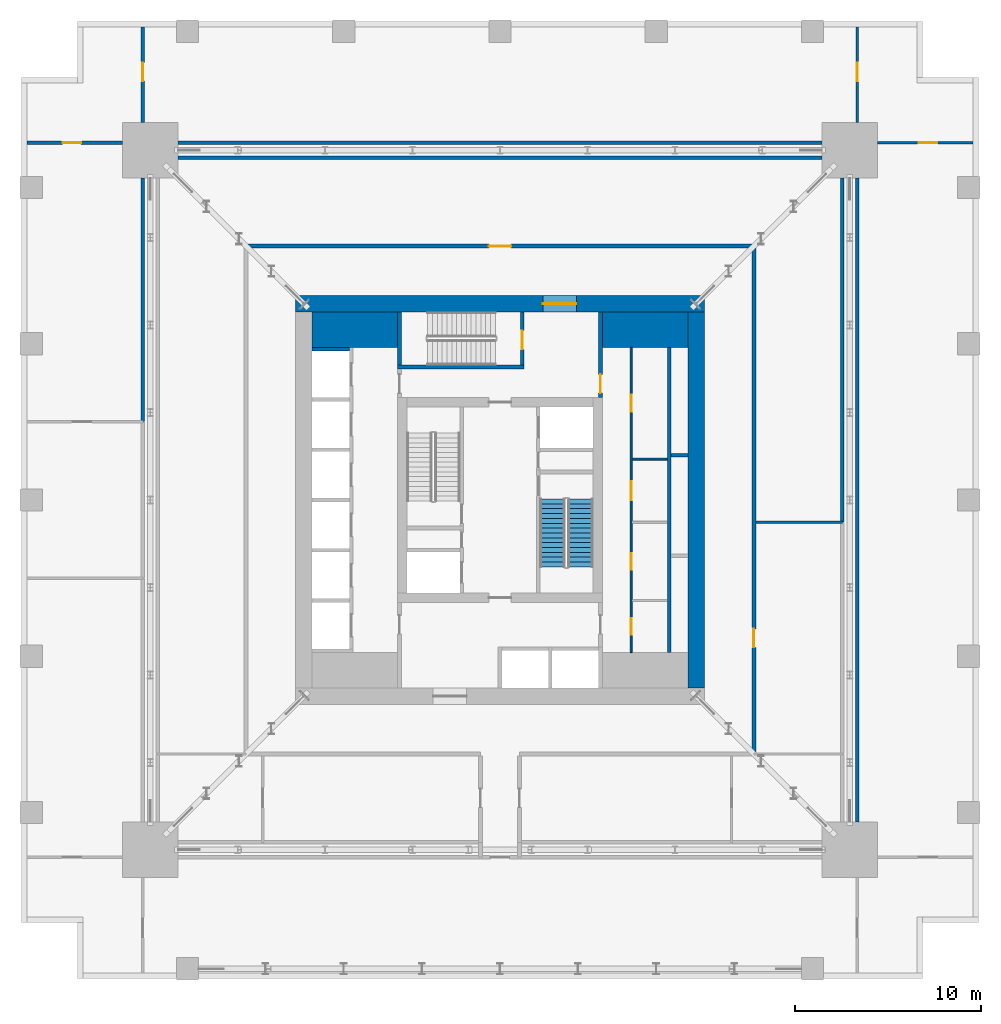
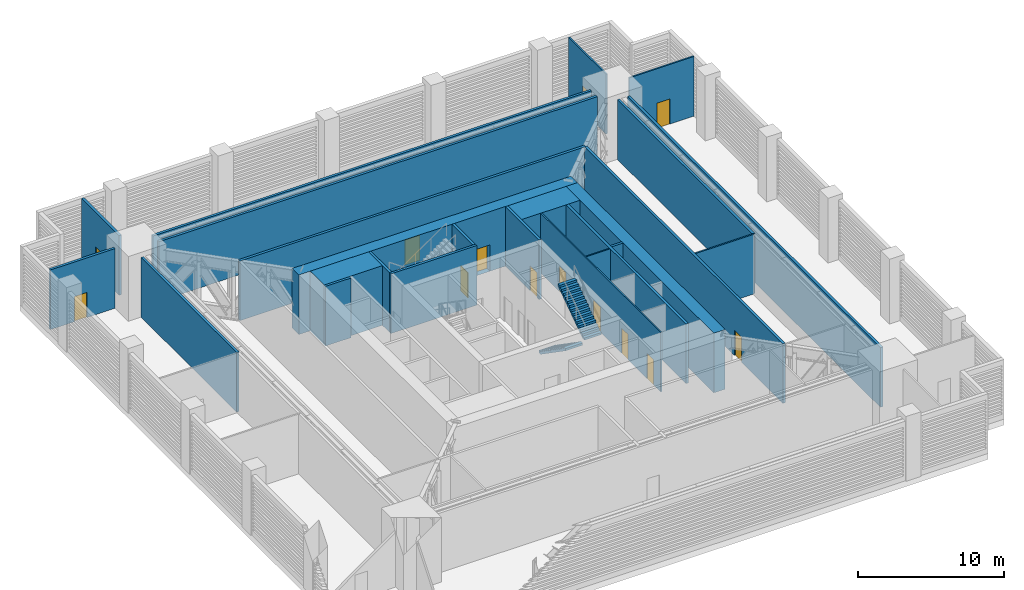
# One storey, part 11 of 17: 25 walls, 13 doors, 2 stair flights, 13 openings, 1 element without a shape of its own.
"""IFC4 building model written with IfcOpenShell, lengths in metres."""

from ifc_helpers import new_model, si_unit, direction, frame, frame_2d, origin, place, context, subcontext, project, spatial, polyline, rectangle, outline, extrude, material, layer, layer_set, type_object, element, fill, aggregate, save


model = new_model("IFC4")

# Units and contexts
model_context = context("Model", 3, precision=1e-05, world=origin(), true_north=direction((0.0, 1.0)))
body_context = subcontext(model_context, "Body", "Model", "MODEL_VIEW")
ifc_project = project(units=[si_unit("LENGTHUNIT", "METRE"), si_unit("AREAUNIT", "SQUARE_METRE"), si_unit("VOLUMEUNIT", "CUBIC_METRE"), si_unit("PLANEANGLEUNIT", "RADIAN"), si_unit("MASSUNIT", "GRAM", prefix="KILO")], contexts=[model_context])

# Site, building, storey
site_placement = place(None, origin())
site = spatial("IfcSite", under=ifc_project, at=site_placement, CompositionType="ELEMENT")
building_placement = place(site_placement, origin())
building = spatial("IfcBuilding", under=site, at=building_placement, Name="Khepri Terraces", CompositionType="ELEMENT")
storey_placement = place(building_placement, frame((0.0, 0.0, 73.800048828125)))
storey = spatial("IfcBuildingStorey", under=building, at=storey_placement, Name="L17", CompositionType="ELEMENT", Elevation=73.800048828125)

# Walls
ifc_material_1 = material(Name="Concrete C80/95", Category="concrete")
ifc_layer_1 = layer(ifc_material_1, 1.89990234375, Name="Concrete C80/95", Category="concrete")
ifc_layer_set_1 = layer_set([ifc_layer_1], Name="Concrete C80/95")
wall_type_1 = type_object("IfcWallType", Name="Core wall 1900 C80/95", PredefinedType="SHEAR", material=ifc_layer_set_1)
for number, where, z_axis, x_axis, name in (
    (1, (-10.10009765625, 9.14990234375, 0.0), (0.0, 0.0, 1.0), (1.0, 0.0, 0.0), "Core wall PR03 L17"),
    (2, (5.5, 9.14990234375, 0.0), (0.0, 0.0, 1.0), (1.0, 0.0, 0.0), "Core wall PR04 L17"),
):
    element("IfcWall", number, at=place(storey_placement, frame(where, z_axis=z_axis, x_axis=x_axis)), inside=storey, type_object=wall_type_1, Name=name, PredefinedType="SHEAR", context=body_context, shape_type="SweptSolid", body=[
        extrude(rectangle(XDim=4.60009765625, YDim=1.89990234375, at=frame_2d((2.300048828125, 0.0))), origin(), (0.0, 0.0, 1.0), 4.97998046875),
    ])
ifc_layer_2 = layer(ifc_material_1, 0.199951171875, Name="Concrete C80/95", Category="concrete")
ifc_layer_set_2 = layer_set([ifc_layer_2], Name="Concrete C80/95")
wall_type_2 = type_object("IfcWallType", Name="Core wall 200 C80/95", PredefinedType="SHEAR", material=ifc_layer_set_2)
wall_1_placement = place(storey_placement, frame((-5.5, 7.14990234375, 0.0), z_axis=(0.0, 0.0, 1.0), x_axis=(1.0, 0.0, 0.0)))
element("IfcWall", 3, at=wall_1_placement, inside=storey, type_object=wall_type_2, Name="Core wall ST05 L17", PredefinedType="SHEAR", context=body_context, shape_type="SweptSolid", body=[
    extrude(rectangle(XDim=6.800048828125, YDim=0.199951171875, at=frame_2d((3.39990234375, 0.0))), origin(), (0.0, 0.0, 1.0), 4.97998046875),
])
wall_2_placement = place(storey_placement, frame((-5.39990234375, 7.25, 0.0), z_axis=(0.0, 0.0, 1.0), x_axis=(0.0, 1.0, 0.0)))
element("IfcWall", 4, at=wall_2_placement, inside=storey, type_object=wall_type_2, Name="Core wall ST06 L17", PredefinedType="SHEAR", context=body_context, shape_type="SweptSolid", body=[
    extrude(rectangle(XDim=2.85009765625, YDim=0.199951171875, at=frame_2d((1.425048828125, 0.0))), origin(), (0.0, 0.0, 1.0), 4.97998046875),
])

# Wall, opening, door
wall_3_placement = place(storey_placement, frame((1.199951171875, 7.25, 0.0), z_axis=(0.0, 0.0, 1.0), x_axis=(0.0, 1.0, 0.0)))
wall_3 = element("IfcWall", 5, at=wall_3_placement, inside=storey, type_object=wall_type_2, Name="Core wall ST07 L17", PredefinedType="SHEAR", context=body_context, shape_type="SweptSolid", body=[
    extrude(rectangle(XDim=2.85009765625, YDim=0.199951171875, at=frame_2d((1.425048828125, 0.0))), origin(), (0.0, 0.0, 1.0), 4.97998046875),
])
opening_1_placement = place(wall_3_placement, frame((0.85009765625, 0.0, 0.0)))
opening_1 = element("IfcOpeningElement", 6, at=opening_1_placement, cuts=wall_3, Name="Opening L17-C15", PredefinedType="OPENING", context=body_context, shape_type="SweptSolid", body=[
    extrude(rectangle(XDim=1.0, YDim=2.10009765625, at=frame_2d((0.5, 1.050048828125))), frame((0.0, 0.10986328125, 0.0), z_axis=(0.0, -1.0, 0.0), x_axis=(1.0, 0.0, 0.0)), (0.0, 0.0, 1.0), 0.219970703125),
])
ifc_material_2 = material(Name="Painted steel", Category="steel")
door_type_1 = type_object("IfcDoorType", Name="DR-CORE-STAIR-1000", OperationType="NOTDEFINED", PredefinedType="DOOR", material=ifc_material_2)
door_1_placement = place(opening_1_placement, origin())
door_1 = element("IfcDoor", 7, at=door_1_placement, inside=storey, type_object=door_type_1, Name="Stair door L17-C15", OperationType="SINGLE_SWING_LEFT", OverallHeight=2.10009765625, OverallWidth=1.0, PredefinedType="DOOR", context=body_context, shape_type="SweptSolid", body=[
    extrude(rectangle(XDim=1.0, YDim=2.10009765625, at=frame_2d((0.5, 1.050048828125))), frame((0.0, 0.02490234375, 0.0), z_axis=(0.0, -1.0, 0.0), x_axis=(1.0, 0.0, 0.0)), (0.0, 0.0, 1.0), 0.050048828125),
])
fill(opening_1, door_1)

# Walls
wall_4_placement = place(storey_placement, frame((9.10009765625, -8.199951171875, 0.0), z_axis=(0.0, 0.0, 1.0), x_axis=(0.0, 1.0, 0.0)))
element("IfcWall", 8, at=wall_4_placement, inside=storey, type_object=wall_type_2, Name="Core wall SH05 L17", PredefinedType="SHEAR", context=body_context, shape_type="SweptSolid", body=[
    extrude(rectangle(XDim=16.39990234375, YDim=0.199951171875, at=frame_2d((8.199951171875, 0.0))), origin(), (0.0, 0.0, 1.0), 4.97998046875),
])
wall_5_placement = place(storey_placement, frame((9.199951171875, 2.39990234375, 0.0), z_axis=(0.0, 0.0, 1.0), x_axis=(1.0, 0.0, 0.0)))
element("IfcWall", 9, at=wall_5_placement, inside=storey, type_object=wall_type_2, Name="Core wall SH16 L17", PredefinedType="SHEAR", context=body_context, shape_type="SweptSolid", body=[
    extrude(rectangle(XDim=0.900146484375, YDim=0.199951171875, at=frame_2d((0.4501953125, 0.0))), origin(), (0.0, 0.0, 1.0), 4.97998046875),
])
wall_6_placement = place(storey_placement, frame((-10.10009765625, 8.10009765625, 0.0), z_axis=(0.0, 0.0, 1.0), x_axis=(1.0, 0.0, 0.0)))
element("IfcWall", 10, at=wall_6_placement, inside=storey, type_object=wall_type_2, Name="Core wall SH20 L17", PredefinedType="SHEAR", context=body_context, shape_type="SweptSolid", body=[
    extrude(rectangle(XDim=2.0, YDim=0.199951171875, at=frame_2d((1.0, 0.0))), origin(), (0.0, 0.0, 1.0), 4.97998046875),
])

# Wall, opening, door
ifc_layer_3 = layer(ifc_material_1, 0.89990234375, Name="Concrete C80/95", Category="concrete")
ifc_layer_set_3 = layer_set([ifc_layer_3], Name="Concrete C80/95")
wall_type_3 = type_object("IfcWallType", Name="Core wall 900 C80/95", PredefinedType="SHEAR", material=ifc_layer_set_3)
wall_7_placement = place(storey_placement, frame((-11.0, 10.550048828125, 0.0), z_axis=(0.0, 0.0, 1.0), x_axis=(1.0, 0.0, 0.0)))
wall_7 = element("IfcWall", 11, at=wall_7_placement, inside=storey, type_object=wall_type_3, Name="Core wall OW-N L17", PredefinedType="SHEAR", context=body_context, shape_type="SweptSolid", body=[
    extrude(rectangle(XDim=22.0, YDim=0.89990234375, at=frame_2d((11.0, 0.0))), origin(), (0.0, 0.0, 1.0), 4.97998046875),
])
opening_2_placement = place(wall_7_placement, frame((13.300048828125, 0.0, 0.0)))
opening_2 = element("IfcOpeningElement", 12, at=opening_2_placement, cuts=wall_7, Name="Opening L17-C20", PredefinedType="OPENING", context=body_context, shape_type="SweptSolid", body=[
    extrude(rectangle(XDim=1.800048828125, YDim=2.199951171875, at=frame_2d((0.89990234375, 1.10009765625))), frame((0.0, 0.4599609375, 0.0), z_axis=(0.0, -1.0, 0.0), x_axis=(1.0, 0.0, 0.0)), (0.0, 0.0, 1.0), 0.919921875),
])
door_type_2 = type_object("IfcDoorType", Name="DR-CORE-ENTRANCE-1800", OperationType="NOTDEFINED", PredefinedType="DOOR", material=ifc_material_2)
door_2_placement = place(opening_2_placement, origin())
door_2 = element("IfcDoor", 13, at=door_2_placement, inside=storey, type_object=door_type_2, Name="Core entrance door pair L17-C20", OperationType="DOUBLE_DOOR_SINGLE_SWING", OverallHeight=2.199951171875, OverallWidth=1.800048828125, PredefinedType="DOOR", context=body_context, shape_type="SweptSolid", body=[
    extrude(rectangle(XDim=1.800048828125, YDim=2.199951171875, at=frame_2d((0.89990234375, 1.10009765625))), frame((0.0, 0.02490234375, 0.0), z_axis=(0.0, -1.0, 0.0), x_axis=(1.0, 0.0, 0.0)), (0.0, 0.0, 1.0), 0.050048828125),
])
fill(opening_2, door_2)

# Wall
wall_8_placement = place(storey_placement, frame((10.550048828125, -10.10009765625, 0.0), z_axis=(0.0, 0.0, 1.0), x_axis=(0.0, 1.0, 0.0)))
element("IfcWall", 14, at=wall_8_placement, inside=storey, type_object=wall_type_3, Name="Core wall OW-E L17", PredefinedType="SHEAR", context=body_context, shape_type="SweptSolid", body=[
    extrude(rectangle(XDim=20.2001953125, YDim=0.89990234375, at=frame_2d((10.10009765625, 0.0))), origin(), (0.0, 0.0, 1.0), 4.97998046875),
])

# Wall, openings, doors
ifc_material_3 = material(Name="Fire-rated gypsum board partition")
ifc_layer_4 = layer(ifc_material_3, 0.10009765625, Name="Fire-rated gypsum board partition")
ifc_layer_set_4 = layer_set([ifc_layer_4], Name="Fire-rated gypsum board partition")
wall_type_4 = type_object("IfcWallType", Name="WL-CORE-PART-100", PredefinedType="PARTITIONING", material=ifc_layer_set_4)
wall_9_placement = place(storey_placement, frame((7.050048828125, -8.199951171875, 0.0), z_axis=(0.0, 0.0, 1.0), x_axis=(0.0, 1.0, 0.0)))
wall_9 = element("IfcWall", 15, at=wall_9_placement, inside=storey, type_object=wall_type_4, Name="Core partition PT02 L17", PredefinedType="PARTITIONING", context=body_context, shape_type="SweptSolid", body=[
    extrude(rectangle(XDim=16.39990234375, YDim=0.10009765625, at=frame_2d((8.199951171875, 0.0))), origin(), (0.0, 0.0, 1.0), 4.97998046875),
])
opening_3_placement = place(wall_9_placement, frame((0.949951171875, 0.0, 0.0)))
opening_3 = element("IfcOpeningElement", 16, at=opening_3_placement, cuts=wall_9, Name="Opening L17-C22", PredefinedType="OPENING", context=body_context, shape_type="SweptSolid", body=[
    extrude(rectangle(XDim=0.89990234375, YDim=2.10009765625, at=frame_2d((0.449951171875, 1.050048828125))), frame((0.0, 0.06005859375, 0.0), z_axis=(0.0, -1.0, 0.0), x_axis=(1.0, 0.0, 0.0)), (0.0, 0.0, 1.0), 0.1201171875),
])
opening_4_placement = place(wall_9_placement, frame((4.449951171875, 0.0, 0.0)))
opening_4 = element("IfcOpeningElement", 17, at=opening_4_placement, cuts=wall_9, Name="Opening L17-C23", PredefinedType="OPENING", context=body_context, shape_type="SweptSolid", body=[
    extrude(rectangle(XDim=0.89990234375, YDim=2.10009765625, at=frame_2d((0.449951171875, 1.050048828125))), frame((0.0, 0.06005859375, 0.0), z_axis=(0.0, -1.0, 0.0), x_axis=(1.0, 0.0, 0.0)), (0.0, 0.0, 1.0), 0.1201171875),
])
opening_5_placement = place(wall_9_placement, frame((8.199951171875, 0.0, 0.0)))
opening_5 = element("IfcOpeningElement", 18, at=opening_5_placement, cuts=wall_9, Name="Opening L17-C24", PredefinedType="OPENING", context=body_context, shape_type="SweptSolid", body=[
    extrude(rectangle(XDim=1.0, YDim=2.10009765625, at=frame_2d((0.5, 1.050048828125))), frame((0.0, 0.06005859375, 0.0), z_axis=(0.0, -1.0, 0.0), x_axis=(1.0, 0.0, 0.0)), (0.0, 0.0, 1.0), 0.1201171875),
])
opening_6_placement = place(wall_9_placement, frame((12.949951171875, 0.0, 0.0)))
opening_6 = element("IfcOpeningElement", 19, at=opening_6_placement, cuts=wall_9, Name="Opening L17-C25", PredefinedType="OPENING", context=body_context, shape_type="SweptSolid", body=[
    extrude(rectangle(XDim=0.89990234375, YDim=2.10009765625, at=frame_2d((0.449951171875, 1.050048828125))), frame((0.0, 0.06005859375, 0.0), z_axis=(0.0, -1.0, 0.0), x_axis=(1.0, 0.0, 0.0)), (0.0, 0.0, 1.0), 0.1201171875),
])
door_type_3 = type_object("IfcDoorType", Name="DR-CORE-SERVICE-900", OperationType="NOTDEFINED", PredefinedType="DOOR", material=ifc_material_2)
door_3_placement = place(opening_3_placement, frame((0.89990234375, 0.0, 0.0), z_axis=(0.0, 0.0, 1.0), x_axis=(-1.0, 0.0, 0.0)))
door_3 = element("IfcDoor", 20, at=door_3_placement, inside=storey, type_object=door_type_3, Name="Service room door L17-C22", OperationType="SINGLE_SWING_RIGHT", OverallHeight=2.10009765625, OverallWidth=0.89990234375, PredefinedType="DOOR", context=body_context, shape_type="SweptSolid", body=[
    extrude(rectangle(XDim=0.89990234375, YDim=2.10009765625, at=frame_2d((0.449951171875, 1.050048828125))), frame((0.0, 0.02490234375, 0.0), z_axis=(0.0, -1.0, 0.0), x_axis=(1.0, 0.0, 0.0)), (0.0, 0.0, 1.0), 0.050048828125),
])
fill(opening_3, door_3)
door_4_placement = place(opening_4_placement, frame((0.89990234375, 0.0, 0.0), z_axis=(0.0, 0.0, 1.0), x_axis=(-1.0, 0.0, 0.0)))
door_4 = element("IfcDoor", 21, at=door_4_placement, inside=storey, type_object=door_type_3, Name="Service room door L17-C23", OperationType="SINGLE_SWING_RIGHT", OverallHeight=2.10009765625, OverallWidth=0.89990234375, PredefinedType="DOOR", context=body_context, shape_type="SweptSolid", body=[
    extrude(rectangle(XDim=0.89990234375, YDim=2.10009765625, at=frame_2d((0.449951171875, 1.050048828125))), frame((0.0, 0.02490234375, 0.0), z_axis=(0.0, -1.0, 0.0), x_axis=(1.0, 0.0, 0.0)), (0.0, 0.0, 1.0), 0.050048828125),
])
fill(opening_4, door_4)
door_5_placement = place(opening_6_placement, frame((0.89990234375, 0.0, 0.0), z_axis=(0.0, 0.0, 1.0), x_axis=(-1.0, 0.0, 0.0)))
door_5 = element("IfcDoor", 22, at=door_5_placement, inside=storey, type_object=door_type_3, Name="Service room door L17-C25", OperationType="SINGLE_SWING_LEFT", OverallHeight=2.10009765625, OverallWidth=0.89990234375, PredefinedType="DOOR", context=body_context, shape_type="SweptSolid", body=[
    extrude(rectangle(XDim=0.89990234375, YDim=2.10009765625, at=frame_2d((0.449951171875, 1.050048828125))), frame((0.0, 0.02490234375, 0.0), z_axis=(0.0, -1.0, 0.0), x_axis=(1.0, 0.0, 0.0)), (0.0, 0.0, 1.0), 0.050048828125),
])
fill(opening_6, door_5)
ifc_material_4 = material(Name="Timber veneer", Category="wood")
door_type_4 = type_object("IfcDoorType", Name="DR-CORE-WC-1000", OperationType="NOTDEFINED", PredefinedType="DOOR", material=ifc_material_4)
door_6_placement = place(opening_5_placement, frame((1.0, 0.0, 0.0), z_axis=(0.0, 0.0, 1.0), x_axis=(-1.0, 0.0, 0.0)))
door_6 = element("IfcDoor", 23, at=door_6_placement, inside=storey, type_object=door_type_4, Name="WC door L17-C24", OperationType="SINGLE_SWING_LEFT", OverallHeight=2.10009765625, OverallWidth=1.0, PredefinedType="DOOR", context=body_context, shape_type="SweptSolid", body=[
    extrude(rectangle(XDim=1.0, YDim=2.10009765625, at=frame_2d((0.5, 1.050048828125))), frame((0.0, 0.02490234375, 0.0), z_axis=(0.0, -1.0, 0.0), x_axis=(1.0, 0.0, 0.0)), (0.0, 0.0, 1.0), 0.050048828125),
])
fill(opening_5, door_6)

# Wall
wall_10_placement = place(storey_placement, frame((7.10009765625, 2.199951171875, 0.0), z_axis=(0.0, 0.0, 1.0), x_axis=(1.0, 0.0, 0.0)))
element("IfcWall", 24, at=wall_10_placement, inside=storey, type_object=wall_type_4, Name="Core partition PT06 L17", PredefinedType="PARTITIONING", context=body_context, shape_type="SweptSolid", body=[
    extrude(rectangle(XDim=1.89990234375, YDim=0.10009765625, at=frame_2d((0.949951171875, 0.0))), origin(), (0.0, 0.0, 1.0), 4.97998046875),
])

# Wall, opening, door
ifc_layer_5 = layer(ifc_material_3, 0.199951171875, Name="Fire-rated gypsum board partition")
ifc_layer_set_5 = layer_set([ifc_layer_5], Name="Fire-rated gypsum board partition")
wall_type_5 = type_object("IfcWallType", Name="WL-CORE-PART-200", PredefinedType="PARTITIONING", material=ifc_layer_set_5)
wall_11_placement = place(storey_placement, frame((5.39990234375, 5.5, 0.0), z_axis=(0.0, 0.0, 1.0), x_axis=(0.0, 1.0, 0.0)))
wall_11 = element("IfcWall", 25, at=wall_11_placement, inside=storey, type_object=wall_type_5, Name="Core partition PT08 L17", PredefinedType="PARTITIONING", context=body_context, shape_type="SweptSolid", body=[
    extrude(rectangle(XDim=4.60009765625, YDim=0.199951171875, at=frame_2d((2.300048828125, 0.0))), origin(), (0.0, 0.0, 1.0), 4.97998046875),
])
opening_7_placement = place(wall_11_placement, frame((0.25, 0.0, 0.0)))
opening_7 = element("IfcOpeningElement", 26, at=opening_7_placement, cuts=wall_11, Name="Opening L17-C17", PredefinedType="OPENING", context=body_context, shape_type="SweptSolid", body=[
    extrude(rectangle(XDim=1.0, YDim=2.10009765625, at=frame_2d((0.5, 1.050048828125))), frame((0.0, 0.10986328125, 0.0), z_axis=(0.0, -1.0, 0.0), x_axis=(1.0, 0.0, 0.0)), (0.0, 0.0, 1.0), 0.219970703125),
])
door_type_5 = type_object("IfcDoorType", Name="DR-CORE-LOBBY-1000", OperationType="NOTDEFINED", PredefinedType="DOOR", material=ifc_material_2)
door_7_placement = place(opening_7_placement, origin())
door_7 = element("IfcDoor", 27, at=door_7_placement, inside=storey, type_object=door_type_5, Name="Lobby door L17-C17", OperationType="SINGLE_SWING_LEFT", OverallHeight=2.10009765625, OverallWidth=1.0, PredefinedType="DOOR", context=body_context, shape_type="SweptSolid", body=[
    extrude(rectangle(XDim=1.0, YDim=2.10009765625, at=frame_2d((0.5, 1.050048828125))), frame((0.0, 0.02490234375, 0.0), z_axis=(0.0, -1.0, 0.0), x_axis=(1.0, 0.0, 0.0)), (0.0, 0.0, 1.0), 0.050048828125),
])
fill(opening_7, door_7)

# Wall
ifc_material_5 = material(Name="Fire-rated gypsum plasterboard partition, mineral wool")
ifc_layer_6 = layer(ifc_material_5, 0.199951171875, Name="Fire-rated gypsum plasterboard partition, mineral wool")
ifc_layer_set_6 = layer_set([ifc_layer_6], Name="Fire-rated gypsum plasterboard partition, mineral wool")
wall_type_6 = type_object("IfcWallType", Name="WL-CORR-200", PredefinedType="PARTITIONING", material=ifc_layer_set_6)
wall_12_placement = place(storey_placement, frame((19.199951171875, -17.300048828125, 0.0), z_axis=(0.0, 0.0, 1.0), x_axis=(0.0, 1.0, 0.0)))
element("IfcWall", 28, at=wall_12_placement, inside=storey, type_object=wall_type_6, Name="Partition P-019 L17", PredefinedType="PARTITIONING", context=body_context, shape_type="SweptSolid", body=[
    extrude(rectangle(XDim=34.60009765625, YDim=0.199951171875, at=frame_2d((17.300048828125, 0.0))), origin(), (0.0, 0.0, 1.0), 4.97998046875),
])

# Wall, opening, door
wall_13_placement = place(storey_placement, frame((13.64990234375, -13.550048828125, 0.0), z_axis=(0.0, 0.0, 1.0), x_axis=(0.0, 1.0, 0.0)))
wall_13 = element("IfcWall", 29, at=wall_13_placement, inside=storey, type_object=wall_type_6, Name="Partition P-027 L17", PredefinedType="PARTITIONING", context=body_context, shape_type="SweptSolid", body=[
    extrude(rectangle(XDim=27.10009765625, YDim=0.199951171875, at=frame_2d((13.550048828125, 0.0))), origin(), (0.0, 0.0, 1.0), 4.97998046875),
])
opening_8_placement = place(wall_13_placement, frame((5.625, 0.0, 0.0)))
opening_8 = element("IfcOpeningElement", 30, at=opening_8_placement, cuts=wall_13, Name="Opening D5", PredefinedType="OPENING", context=body_context, shape_type="SweptSolid", body=[
    extrude(rectangle(XDim=1.0, YDim=2.10009765625, at=frame_2d((0.5, 1.050048828125))), frame((0.0, 0.10986328125, 0.0), z_axis=(0.0, -1.0, 0.0), x_axis=(1.0, 0.0, 0.0)), (0.0, 0.0, 1.0), 0.219970703125),
])
ifc_material_6 = material(Name="Painted galvanised door leaf, plant room")
door_type_6 = type_object("IfcDoorType", Name="DR-SRV-1000", OperationType="NOTDEFINED", PredefinedType="DOOR", material=ifc_material_6)
door_8_placement = place(opening_8_placement, frame((1.0, 0.0, 0.0), z_axis=(0.0, 0.0, 1.0), x_axis=(-1.0, 0.0, 0.0)))
door_8 = element("IfcDoor", 31, at=door_8_placement, inside=storey, type_object=door_type_6, Name="Door Chiller Plant Room", OperationType="SINGLE_SWING_RIGHT", OverallHeight=2.10009765625, OverallWidth=1.0, PredefinedType="DOOR", context=body_context, shape_type="SweptSolid", body=[
    extrude(rectangle(XDim=1.0, YDim=2.10009765625, at=frame_2d((0.5, 1.050048828125))), frame((0.0, 0.02490234375, 0.0), z_axis=(0.0, -1.0, 0.0), x_axis=(1.0, 0.0, 0.0)), (0.0, 0.0, 1.0), 0.050048828125),
])
fill(opening_8, door_8)

# Walls
wall_14_placement = place(storey_placement, frame((18.39990234375, -1.179931640625, 0.0), z_axis=(0.0, 0.0, 1.0), x_axis=(0.0, 1.0, 0.0)))
element("IfcWall", 32, at=wall_14_placement, inside=storey, type_object=wall_type_6, Name="Partition P-031 L17", PredefinedType="PARTITIONING", context=body_context, shape_type="SweptSolid", body=[
    extrude(rectangle(XDim=18.47998046875, YDim=0.199951171875, at=frame_2d((9.239990234375, 0.0))), origin(), (0.0, 0.0, 1.0), 4.97998046875),
])
wall_15_placement = place(storey_placement, frame((-19.199951171875, 4.219970703125, 0.0), z_axis=(0.0, 0.0, 1.0), x_axis=(0.0, 1.0, 0.0)))
element("IfcWall", 33, at=wall_15_placement, inside=storey, type_object=wall_type_6, Name="Partition P-033 L17", PredefinedType="PARTITIONING", context=body_context, shape_type="SweptSolid", body=[
    extrude(rectangle(XDim=13.080078125, YDim=0.199951171875, at=frame_2d((6.5400390625, 0.0))), origin(), (0.0, 0.0, 1.0), 4.97998046875),
])

# Wall, opening, door
wall_16_placement = place(storey_placement, frame((-13.64990234375, 13.64990234375, 0.0), z_axis=(0.0, 0.0, 1.0), x_axis=(1.0, 0.0, 0.0)))
wall_16 = element("IfcWall", 34, at=wall_16_placement, inside=storey, type_object=wall_type_6, Name="Partition P-034 L17", PredefinedType="PARTITIONING", context=body_context, shape_type="SweptSolid", body=[
    extrude(rectangle(XDim=27.2998046875, YDim=0.199951171875, at=frame_2d((13.64990234375, 0.0))), origin(), (0.0, 0.0, 1.0), 4.97998046875),
])
opening_9_placement = place(wall_16_placement, frame((13.050048828125, 0.0, 0.0)))
opening_9 = element("IfcOpeningElement", 35, at=opening_9_placement, cuts=wall_16, Name="Opening D6", PredefinedType="OPENING", context=body_context, shape_type="SweptSolid", body=[
    extrude(rectangle(XDim=1.199951171875, YDim=2.10009765625, at=frame_2d((0.60009765625, 1.050048828125))), frame((0.0, 0.10986328125, 0.0), z_axis=(0.0, -1.0, 0.0), x_axis=(1.0, 0.0, 0.0)), (0.0, 0.0, 1.0), 0.219970703125),
])
ifc_material_7 = material(Name="Timber door leaf, public room, fire-rated", Category="wood")
door_type_7 = type_object("IfcDoorType", Name="DR-PUB-1200", OperationType="NOTDEFINED", PredefinedType="DOOR", material=ifc_material_7)
door_9_placement = place(opening_9_placement, origin())
door_9 = element("IfcDoor", 36, at=door_9_placement, inside=storey, type_object=door_type_7, Name="Door Refuge Area", OperationType="SINGLE_SWING_RIGHT", OverallHeight=2.10009765625, OverallWidth=1.199951171875, PredefinedType="DOOR", context=body_context, shape_type="SweptSolid", body=[
    extrude(rectangle(XDim=1.199951171875, YDim=2.10009765625, at=frame_2d((0.60009765625, 1.050048828125))), frame((0.0, 0.02490234375, 0.0), z_axis=(0.0, -1.0, 0.0), x_axis=(1.0, 0.0, 0.0)), (0.0, 0.0, 1.0), 0.050048828125),
])
fill(opening_9, door_9)

# Walls
for number, where, z_axis, x_axis, name in (
    (37, (-17.300048828125, 18.39990234375, 0.0), (0.0, 0.0, 1.0), (1.0, 0.0, 0.0), "Partition P-035 L17"),
    (38, (-17.300048828125, 19.199951171875, 0.0), (0.0, 0.0, 1.0), (1.0, 0.0, 0.0), "Partition P-037 L17"),
):
    element("IfcWall", number, at=place(storey_placement, frame(where, z_axis=z_axis, x_axis=x_axis)), inside=storey, type_object=wall_type_6, Name=name, PredefinedType="PARTITIONING", context=body_context, shape_type="SweptSolid", body=[
        extrude(rectangle(XDim=34.60009765625, YDim=0.199951171875, at=frame_2d((17.300048828125, 0.0))), origin(), (0.0, 0.0, 1.0), 4.97998046875),
    ])

# Wall, opening, door
ifc_material_8 = material(Name="Two-hour fire-rated gypsum plasterboard partition, mineral wool")
ifc_layer_7 = layer(ifc_material_8, 0.199951171875, Name="Two-hour fire-rated gypsum plasterboard partition, mineral wool")
ifc_layer_set_7 = layer_set([ifc_layer_7], Name="Two-hour fire-rated gypsum plasterboard partition, mineral wool")
wall_type_7 = type_object("IfcWallType", Name="WL-FIRE-200", PredefinedType="PARTITIONING", material=ifc_layer_set_7)
wall_17_placement = place(storey_placement, frame((-25.419921875, 19.199951171875, 0.0), z_axis=(0.0, 0.0, 1.0), x_axis=(1.0, 0.0, 0.0)))
wall_17 = element("IfcWall", 39, at=wall_17_placement, inside=storey, type_object=wall_type_7, Name="Partition P-036 L17", PredefinedType="PARTITIONING", context=body_context, shape_type="SweptSolid", body=[
    extrude(rectangle(XDim=5.119873046875, YDim=0.199951171875, at=frame_2d((2.56005859375, 0.0))), origin(), (0.0, 0.0, 1.0), 4.97998046875),
])
opening_10_placement = place(wall_17_placement, frame((1.909912109375, 0.0, 0.0)))
opening_10 = element("IfcOpeningElement", 40, at=opening_10_placement, cuts=wall_17, Name="Opening D7", PredefinedType="OPENING", context=body_context, shape_type="SweptSolid", body=[
    extrude(rectangle(XDim=1.0, YDim=2.10009765625, at=frame_2d((0.5, 1.050048828125))), frame((0.0, 0.10986328125, 0.0), z_axis=(0.0, -1.0, 0.0), x_axis=(1.0, 0.0, 0.0)), (0.0, 0.0, 1.0), 0.219970703125),
])
ifc_material_9 = material(Name="Painted steel door leaf, fire pump room, fire-rated", Category="steel")
door_type_8 = type_object("IfcDoorType", Name="DR-FD90-1000", OperationType="NOTDEFINED", PredefinedType="DOOR", material=ifc_material_9)
door_10_placement = place(opening_10_placement, frame((1.0, 0.0, 0.0), z_axis=(0.0, 0.0, 1.0), x_axis=(-1.0, 0.0, 0.0)))
door_10 = element("IfcDoor", 41, at=door_10_placement, inside=storey, type_object=door_type_8, Name="Door Low Voltage Switch Room", OperationType="SINGLE_SWING_RIGHT", OverallHeight=2.10009765625, OverallWidth=1.0, PredefinedType="DOOR", context=body_context, shape_type="SweptSolid", body=[
    extrude(rectangle(XDim=1.0, YDim=2.10009765625, at=frame_2d((0.5, 1.050048828125))), frame((0.0, 0.02490234375, 0.0), z_axis=(0.0, -1.0, 0.0), x_axis=(1.0, 0.0, 0.0)), (0.0, 0.0, 1.0), 0.050048828125),
])
fill(opening_10, door_10)

wall_18_placement = place(storey_placement, frame((-19.199951171875, 20.300048828125, 0.0), z_axis=(0.0, 0.0, 1.0), x_axis=(0.0, 1.0, 0.0)))
wall_18 = element("IfcWall", 42, at=wall_18_placement, inside=storey, type_object=wall_type_7, Name="Partition P-039 L17", PredefinedType="PARTITIONING", context=body_context, shape_type="SweptSolid", body=[
    extrude(rectangle(XDim=5.119873046875, YDim=0.199951171875, at=frame_2d((2.56005859375, 0.0))), origin(), (0.0, 0.0, 1.0), 4.97998046875),
])
opening_11_placement = place(wall_18_placement, frame((2.2099609375, 0.0, 0.0)))
opening_11 = element("IfcOpeningElement", 43, at=opening_11_placement, cuts=wall_18, Name="Opening D7", PredefinedType="OPENING", context=body_context, shape_type="SweptSolid", body=[
    extrude(rectangle(XDim=1.0, YDim=2.10009765625, at=frame_2d((0.5, 1.050048828125))), frame((0.0, 0.10986328125, 0.0), z_axis=(0.0, -1.0, 0.0), x_axis=(1.0, 0.0, 0.0)), (0.0, 0.0, 1.0), 0.219970703125),
])
door_11_placement = place(opening_11_placement, origin())
door_11 = element("IfcDoor", 44, at=door_11_placement, inside=storey, type_object=door_type_8, Name="Door Fire Pump Room", OperationType="SINGLE_SWING_RIGHT", OverallHeight=2.10009765625, OverallWidth=1.0, PredefinedType="DOOR", context=body_context, shape_type="SweptSolid", body=[
    extrude(rectangle(XDim=1.0, YDim=2.10009765625, at=frame_2d((0.5, 1.050048828125))), frame((0.0, 0.02490234375, 0.0), z_axis=(0.0, -1.0, 0.0), x_axis=(1.0, 0.0, 0.0)), (0.0, 0.0, 1.0), 0.050048828125),
])
fill(opening_11, door_11)

# Wall
ifc_material_10 = material(Name="Gypsum plasterboard partition")
ifc_layer_8 = layer(ifc_material_10, 0.1201171875, Name="Gypsum plasterboard partition")
ifc_layer_set_8 = layer_set([ifc_layer_8], Name="Gypsum plasterboard partition")
wall_type_8 = type_object("IfcWallType", Name="WL-PART-120", PredefinedType="PARTITIONING", material=ifc_layer_set_8)
wall_19_placement = place(storey_placement, frame((13.75, -1.199951171875, 0.0), z_axis=(0.0, 0.0, 1.0), x_axis=(1.0, 0.0, 0.0)))
element("IfcWall", 45, at=wall_19_placement, inside=storey, type_object=wall_type_8, Name="Partition P-030 L17", PredefinedType="PARTITIONING", context=body_context, shape_type="SweptSolid", body=[
    extrude(rectangle(XDim=4.64990234375, YDim=0.1201171875, at=frame_2d((2.324951171875, 0.0))), origin(), (0.0, 0.0, 1.0), 4.97998046875),
])

# Wall, opening, door
wall_20_placement = place(storey_placement, frame((20.300048828125, 19.199951171875, 0.0), z_axis=(0.0, 0.0, 1.0), x_axis=(1.0, 0.0, 0.0)))
wall_20 = element("IfcWall", 46, at=wall_20_placement, inside=storey, type_object=wall_type_8, Name="Partition P-038 L17", PredefinedType="PARTITIONING", context=body_context, shape_type="SweptSolid", body=[
    extrude(rectangle(XDim=5.119873046875, YDim=0.1201171875, at=frame_2d((2.56005859375, 0.0))), origin(), (0.0, 0.0, 1.0), 4.97998046875),
])
opening_12_placement = place(wall_20_placement, frame((2.2099609375, 0.0, 0.0)))
opening_12 = element("IfcOpeningElement", 47, at=opening_12_placement, cuts=wall_20, Name="Opening D2", PredefinedType="OPENING", context=body_context, shape_type="SweptSolid", body=[
    extrude(rectangle(XDim=1.0, YDim=2.10009765625, at=frame_2d((0.5, 1.050048828125))), frame((0.0, 0.070068359375, 0.0), z_axis=(0.0, -1.0, 0.0), x_axis=(1.0, 0.0, 0.0)), (0.0, 0.0, 1.0), 0.14013671875),
])
ifc_material_11 = material(Name="Timber door leaf, living room door", Category="wood")
door_type_9 = type_object("IfcDoorType", Name="DR-INT-1000", OperationType="NOTDEFINED", PredefinedType="DOOR", material=ifc_material_11)
door_12_placement = place(opening_12_placement, origin())
door_12 = element("IfcDoor", 48, at=door_12_placement, inside=storey, type_object=door_type_9, Name="Door Water Tank Room", OperationType="SINGLE_SWING_RIGHT", OverallHeight=2.10009765625, OverallWidth=1.0, PredefinedType="DOOR", context=body_context, shape_type="SweptSolid", body=[
    extrude(rectangle(XDim=1.0, YDim=2.10009765625, at=frame_2d((0.5, 1.050048828125))), frame((0.0, 0.02490234375, 0.0), z_axis=(0.0, -1.0, 0.0), x_axis=(1.0, 0.0, 0.0)), (0.0, 0.0, 1.0), 0.050048828125),
])
fill(opening_12, door_12)

wall_21_placement = place(storey_placement, frame((19.199951171875, 20.300048828125, 0.0), z_axis=(0.0, 0.0, 1.0), x_axis=(0.0, 1.0, 0.0)))
wall_21 = element("IfcWall", 49, at=wall_21_placement, inside=storey, type_object=wall_type_8, Name="Partition P-040 L17", PredefinedType="PARTITIONING", context=body_context, shape_type="SweptSolid", body=[
    extrude(rectangle(XDim=5.119873046875, YDim=0.1201171875, at=frame_2d((2.56005859375, 0.0))), origin(), (0.0, 0.0, 1.0), 4.97998046875),
])
opening_13_placement = place(wall_21_placement, frame((2.2099609375, 0.0, 0.0)))
opening_13 = element("IfcOpeningElement", 50, at=opening_13_placement, cuts=wall_21, Name="Opening D2", PredefinedType="OPENING", context=body_context, shape_type="SweptSolid", body=[
    extrude(rectangle(XDim=1.0, YDim=2.10009765625, at=frame_2d((0.5, 1.050048828125))), frame((0.0, 0.070068359375, 0.0), z_axis=(0.0, -1.0, 0.0), x_axis=(1.0, 0.0, 0.0)), (0.0, 0.0, 1.0), 0.14013671875),
])
door_13_placement = place(opening_13_placement, origin())
door_13 = element("IfcDoor", 51, at=door_13_placement, inside=storey, type_object=door_type_9, Name="Door Cooling Plant Hall", OperationType="SINGLE_SWING_RIGHT", OverallHeight=2.10009765625, OverallWidth=1.0, PredefinedType="DOOR", context=body_context, shape_type="SweptSolid", body=[
    extrude(rectangle(XDim=1.0, YDim=2.10009765625, at=frame_2d((0.5, 1.050048828125))), frame((0.0, 0.02490234375, 0.0), z_axis=(0.0, -1.0, 0.0), x_axis=(1.0, 0.0, 0.0)), (0.0, 0.0, 1.0), 0.050048828125),
])
fill(opening_13, door_13)

# Stair, stair flights
ifc_material_12 = material(Name="Concrete C40/50", Category="concrete")
stair_type = type_object("IfcStairType", Name="STAIR-RC-30R", PredefinedType="HALF_TURN_STAIR", material=ifc_material_12)
stair_placement = place(storey_placement, origin())
stair = element("IfcStair", 52, at=stair_placement, inside=storey, type_object=stair_type, Name="L17 Exit Stair ST-2", PredefinedType="HALF_TURN_STAIR")
stair_flight_type = type_object("IfcStairFlightType", Name="SFL-RC-180", PredefinedType="STRAIGHT", material=ifc_material_12)
stair_flight_1_placement = place(storey_placement, frame((2.824951171875, 0.050048828125, 0.0), z_axis=(0.0, 0.0, 1.0), x_axis=(0.0, -1.0, 0.0)))
stair_flight_1 = element("IfcStairFlight", 53, at=stair_flight_1_placement, type_object=stair_flight_type, Name="ST-2 flight 1", NumberOfRisers=15, NumberOfTreads=14, PredefinedType="STRAIGHT", RiserHeight=0.18, TreadLength=0.26, context=body_context, shape_type="SweptSolid", body=[
    extrude(outline(polyline([(0.0, 0.0), (0.0, 0.179931640625), (0.260009765625, 0.179931640625), (0.260009765625, 0.360107421875), (0.52001953125, 0.360107421875), (0.52001953125, 0.5400390625), (0.780029296875, 0.5400390625), (0.780029296875, 0.719970703125), (1.0400390625, 0.719970703125), (1.0400390625, 0.89990234375), (1.300048828125, 0.89990234375), (1.300048828125, 1.080078125), (1.56005859375, 1.080078125), (1.56005859375, 1.260009765625), (1.820068359375, 1.260009765625), (1.820068359375, 1.43994140625), (2.080078125, 1.43994140625), (2.080078125, 1.6201171875), (2.340087890625, 1.6201171875), (2.340087890625, 1.800048828125), (2.60009765625, 1.800048828125), (2.60009765625, 1.97998046875), (2.860107421875, 1.97998046875), (2.860107421875, 2.159912109375), (3.1201171875, 2.159912109375), (3.1201171875, 2.340087890625), (3.3798828125, 2.340087890625), (3.3798828125, 2.52001953125), (3.639892578125, 2.52001953125), (3.639892578125, 2.699951171875), (3.639892578125, 2.337646484375), (0.263427734375, 0.0), (0.0, 0.0)])), frame((0.0, 0.675048828125, 0.0), z_axis=(0.0, -1.0, 0.0), x_axis=(1.0, 0.0, 0.0)), (0.0, 0.0, 1.0), 1.35009765625),
])
stair_flight_2_placement = place(storey_placement, frame((4.324951171875, -3.590087890625, 2.699951171875), z_axis=(0.0, 0.0, 1.0), x_axis=(0.0, 1.0, 0.0)))
stair_flight_2 = element("IfcStairFlight", 54, at=stair_flight_2_placement, type_object=stair_flight_type, Name="ST-2 flight 2", NumberOfRisers=15, NumberOfTreads=14, PredefinedType="STRAIGHT", RiserHeight=0.18, TreadLength=0.26, context=body_context, shape_type="SweptSolid", body=[
    extrude(outline(polyline([(0.0, 0.0), (0.0, 0.179931640625), (0.260009765625, 0.179931640625), (0.260009765625, 0.360107421875), (0.52001953125, 0.360107421875), (0.52001953125, 0.5400390625), (0.780029296875, 0.5400390625), (0.780029296875, 0.719970703125), (1.0400390625, 0.719970703125), (1.0400390625, 0.89990234375), (1.300048828125, 0.89990234375), (1.300048828125, 1.080078125), (1.56005859375, 1.080078125), (1.56005859375, 1.260009765625), (1.820068359375, 1.260009765625), (1.820068359375, 1.43994140625), (2.080078125, 1.43994140625), (2.080078125, 1.6201171875), (2.340087890625, 1.6201171875), (2.340087890625, 1.800048828125), (2.60009765625, 1.800048828125), (2.60009765625, 1.97998046875), (2.860107421875, 1.97998046875), (2.860107421875, 2.159912109375), (3.1201171875, 2.159912109375), (3.1201171875, 2.340087890625), (3.3798828125, 2.340087890625), (3.3798828125, 2.52001953125), (3.639892578125, 2.52001953125), (3.639892578125, 2.699951171875), (3.639892578125, 2.337646484375), (0.263427734375, 0.0), (0.0, 0.0)])), frame((0.0, 0.675048828125, 0.0), z_axis=(0.0, -1.0, 0.0), x_axis=(1.0, 0.0, 0.0)), (0.0, 0.0, 1.0), 1.35009765625),
])
aggregate(stair, [stair_flight_1, stair_flight_2])

save(model, "model.ifc")
